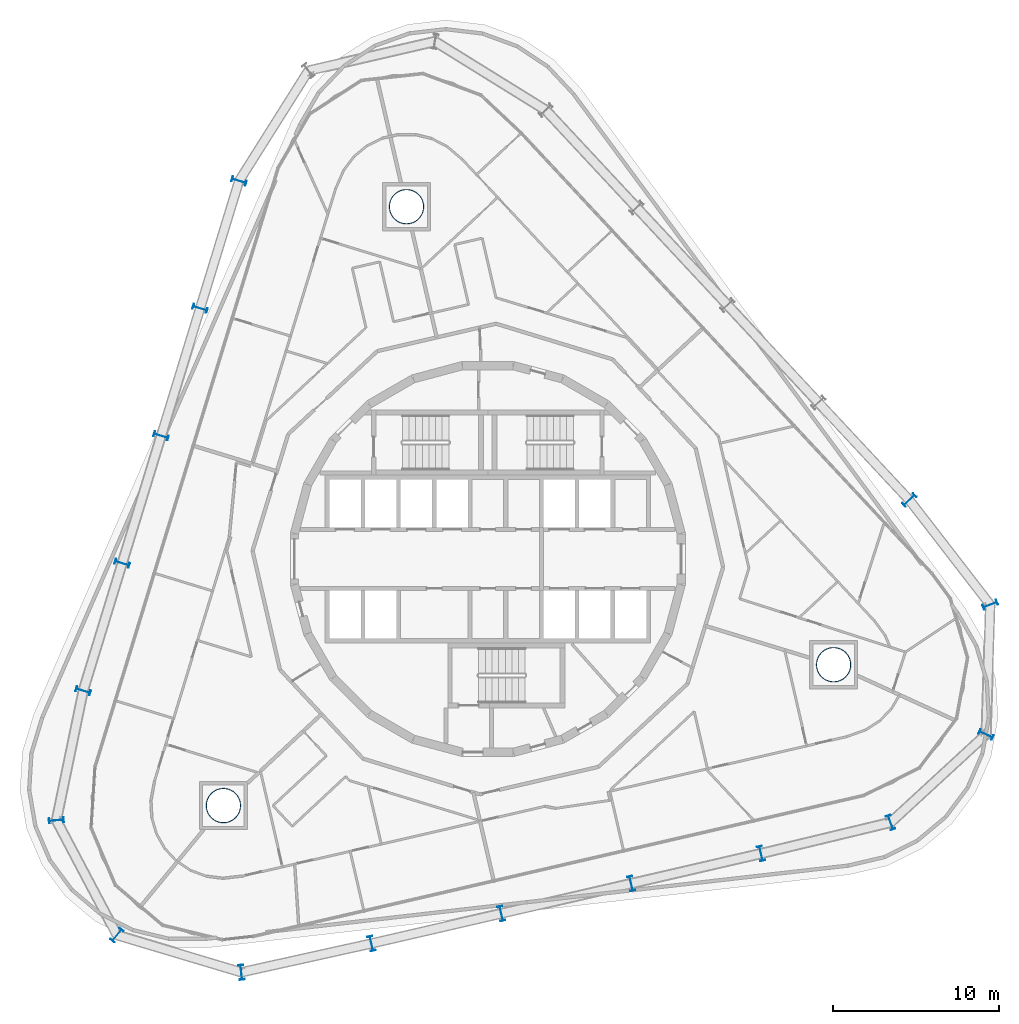
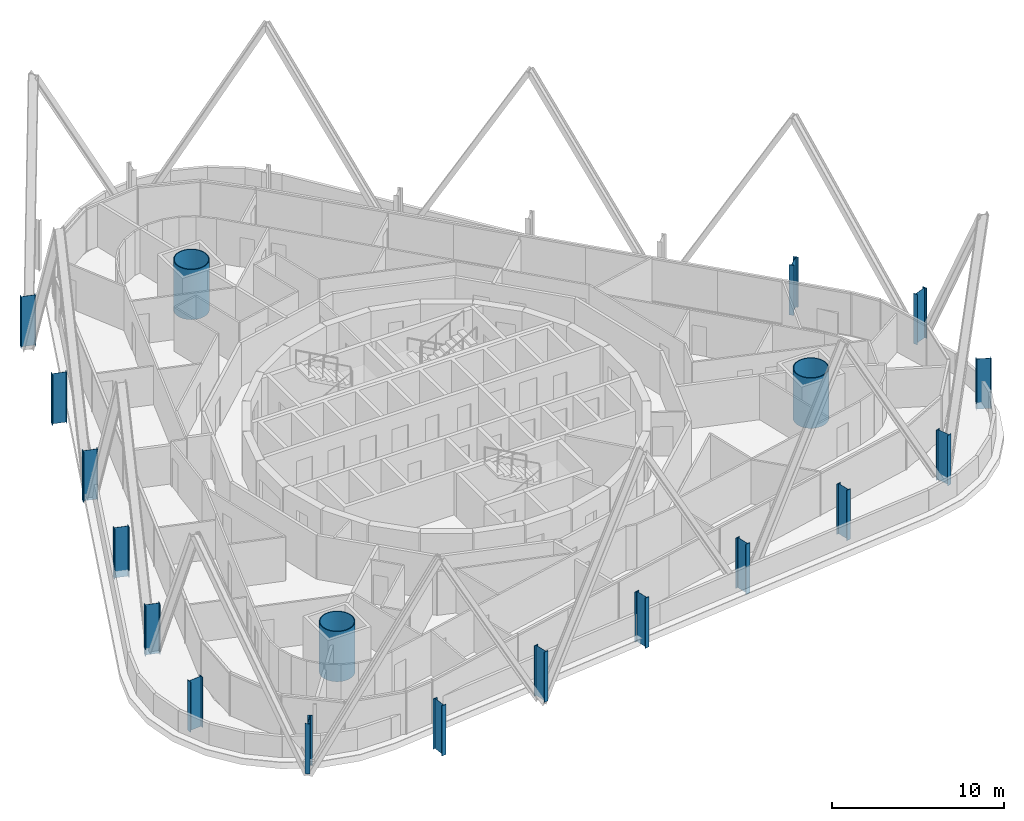
# One storey, part 1 of 18: 19 columns.
"""IFC4 building model written with IfcOpenShell, lengths in metres."""

from ifc_helpers import new_model, si_unit, direction, frame, origin, origin_2d, place, context, subcontext, project, spatial, hollow_circle, i_section, extrude, material, material_profile, profile_set, type_object, element, save


model = new_model("IFC4")

# Units and contexts
model_context = context("Model", 3, precision=1e-05, world=origin(), true_north=direction((0.0, 1.0)))
body_context = subcontext(model_context, "Body", "Model", "MODEL_VIEW")
ifc_project = project(units=[si_unit("LENGTHUNIT", "METRE"), si_unit("AREAUNIT", "SQUARE_METRE"), si_unit("VOLUMEUNIT", "CUBIC_METRE"), si_unit("PLANEANGLEUNIT", "RADIAN"), si_unit("MASSUNIT", "GRAM", prefix="KILO")], contexts=[model_context])

# Site, building, storey
site_placement = place(None, origin())
site = spatial("IfcSite", under=ifc_project, at=site_placement, CompositionType="ELEMENT")
building_placement = place(site_placement, origin())
building = spatial("IfcBuilding", under=site, at=building_placement, Name="Spindle Arch Residences", CompositionType="ELEMENT")
storey_placement = place(building_placement, frame((0.0, 0.0, 113.39990234375)))
storey = spatial("IfcBuildingStorey", under=building, at=storey_placement, Name="L27", CompositionType="ELEMENT", Elevation=113.39990234375)

# Columns
ifc_material_1 = material(Name="Steel S460ML, intumescent coating R 240", Category="steel")
ifc_material_profile_1 = material_profile(ifc_material_1, i_section(OverallWidth=0.300048828125, OverallDepth=0.89990234375, WebThickness=0.0185546875, FlangeThickness=0.034912109375, FilletRadius=0.030029296875, at=origin_2d()), Name="HEB 900")
ifc_profile_set_1 = profile_set([ifc_material_profile_1], Name="Steel S460ML, intumescent coating R 240")
column_type_1 = type_object("IfcColumnType", Name="Exoskeleton post HEB 900", PredefinedType="COLUMN", material=ifc_profile_set_1)
for number, where, z_axis, x_axis, name in (
    (1, (8.633544921875, -19.5498046875, -0.449951171875), (0.0, 0.0, 1.0), (-0.974370073419, -0.224951016948, 0.0), "Exoskeleton post 1"),
    (2, (16.45703125, -17.74365234375, -0.449951171875), (0.0, 0.0, 1.0), (-0.974370073419, -0.224951016948, 0.0), "Exoskeleton post 2"),
    (3, (24.26123046875, -15.86767578125, -0.449951171875), (0.0, 0.0, 1.0), (-0.940523325903, -0.339729117728, 0.0), "Exoskeleton post 3"),
    (4, (30.013916015625, -10.5712890625, -0.449951171875), (0.0, 0.0, 1.0), (-0.416143895931, -0.909298772615, 0.0), "Exoskeleton post 4"),
    (5, (30.261962890625, -2.756103515625, -0.449951171875), (0.0, 0.0, 1.0), (0.357664986637, -0.933849965109, 0.0), "Exoskeleton post 5"),
    (6, (25.390869140625, 3.550048828125, -0.449951171875), (0.0, 0.0, 1.0), (0.68199801865, -0.731354019992, 0.0), "Exoskeleton post 6"),
    (7, (-14.9873046875, 22.7734375, -0.449951171875), (0.0, 0.0, 1.0), (0.29237190653, 0.956304694264, 0.0), "Exoskeleton post 13"),
    (8, (-17.3349609375, 15.09521484375, -0.449951171875), (0.0, 0.0, 1.0), (0.29237190653, 0.956304694264, 0.0), "Exoskeleton post 14"),
    (9, (-19.682373046875, 7.4169921875, -0.449951171875), (0.0, 0.0, 1.0), (0.29237190653, 0.956304694264, 0.0), "Exoskeleton post 15"),
    (10, (-22.02978515625, -0.261474609375, -0.449951171875), (0.0, 0.0, 1.0), (0.29237190653, 0.956304694264, 0.0), "Exoskeleton post 16"),
    (11, (-24.37744140625, -7.939697265625, -0.449951171875), (0.0, 0.0, 1.0), (0.29237190653, 0.956304694264, 0.0), "Exoskeleton post 17"),
    (12, (-25.9912109375, -15.742919921875, -0.449951171875), (0.0, 0.0, 1.0), (-0.087904987966, 0.996128863697, 0.0), "Exoskeleton post 18"),
    (13, (-22.34228515625, -22.65869140625, -0.449951171875), (0.0, 0.0, 1.0), (-0.772637925649, 0.634846938915, 0.0), "Exoskeleton post 19"),
    (14, (-14.85009765625, -24.897216796875, -0.449951171875), (0.0, 0.0, 1.0), (-0.994264182944, -0.106952019682, 0.0), "Exoskeleton post 20"),
    (15, (-7.01318359375, -23.162109375, -0.449951171875), (0.0, 0.0, 1.0), (-0.974370073419, -0.224951016948, 0.0), "Exoskeleton post 21"),
    (16, (0.810302734375, -21.35595703125, -0.449951171875), (0.0, 0.0, 1.0), (-0.974370073419, -0.224951016948, 0.0), "Exoskeleton post 22"),
):
    element("IfcColumn", number, at=place(storey_placement, frame(where, z_axis=z_axis, x_axis=x_axis)), inside=storey, type_object=column_type_1, Name=name, PredefinedType="COLUMN", context=body_context, shape_type="SweptSolid", body=[
        extrude(i_section(OverallWidth=0.300048828125, OverallDepth=0.89990234375, WebThickness=0.0185546875, FlangeThickness=0.034912109375, FilletRadius=0.030029296875, at=origin_2d()), origin(), (0.0, 0.0, 1.0), 3.570068359375),
    ])
ifc_material_2 = material(Name="Concrete C50/60 filled steel tube S460ML, intumescent coating R 240", Category="concrete")
ifc_material_profile_2 = material_profile(ifc_material_2, hollow_circle(Radius=1.050048828125, WallThickness=0.050048828125, at=origin_2d()), Name="CFT D2100x50")
ifc_profile_set_2 = profile_set([ifc_material_profile_2], Name="Concrete C50/60 filled steel tube S460ML, intumescent coating R 240")
column_type_2 = type_object("IfcColumnType", Name="Mega-column CFT D2100x50", PredefinedType="COLUMN", material=ifc_profile_set_2)
for number, where, z_axis, x_axis, name in (
    (17, (20.830078125, -6.368408203125, -0.449951171875), (0.0, 0.0, 1.0), (1.0, 0.0, 0.0), "Mega-column 1"),
    (18, (-4.89990234375, 21.223388671875, -0.449951171875), (0.0, 0.0, 1.0), (1.0, 0.0, 0.0), "Mega-column 2"),
    (19, (-15.93017578125, -14.855224609375, -0.449951171875), (0.0, 0.0, 1.0), (1.0, 0.0, 0.0), "Mega-column 3"),
):
    element("IfcColumn", number, at=place(storey_placement, frame(where, z_axis=z_axis, x_axis=x_axis)), inside=storey, type_object=column_type_2, Name=name, PredefinedType="COLUMN", context=body_context, shape_type="SweptSolid", body=[
        extrude(hollow_circle(Radius=1.050048828125, WallThickness=0.050048828125, at=origin_2d()), origin(), (0.0, 0.0, 1.0), 3.570068359375),
    ])

save(model, "model.ifc")
